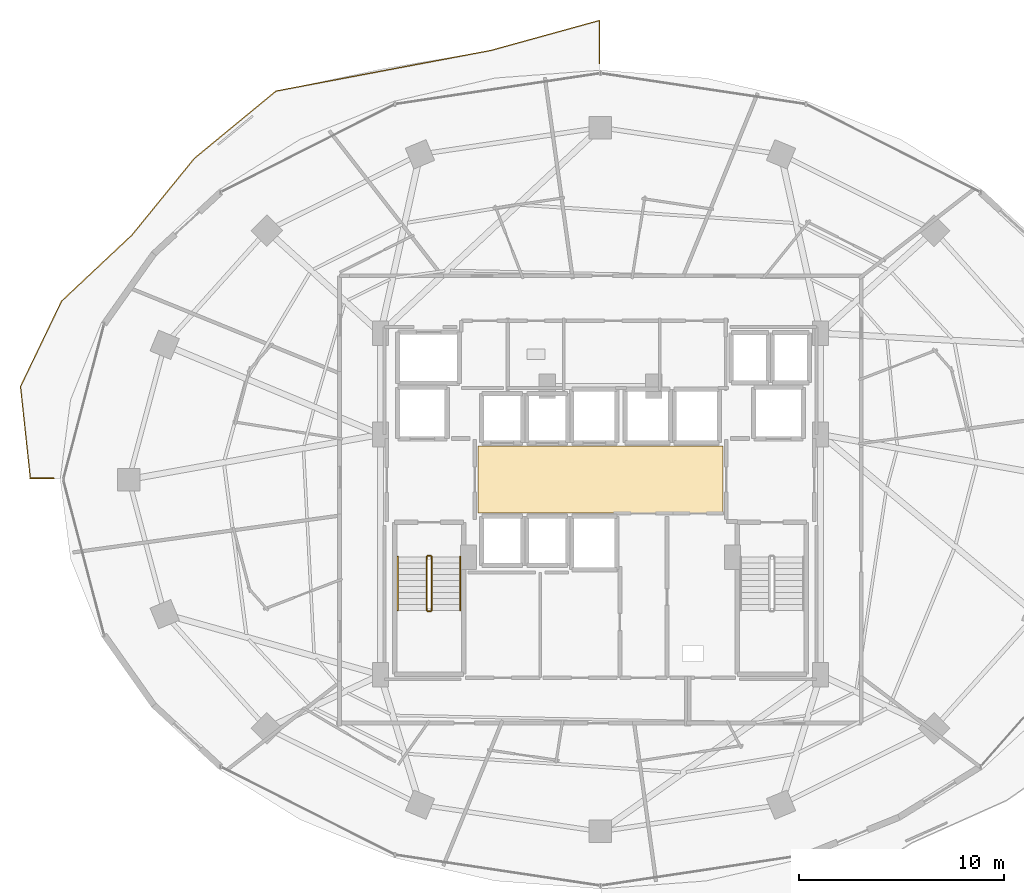
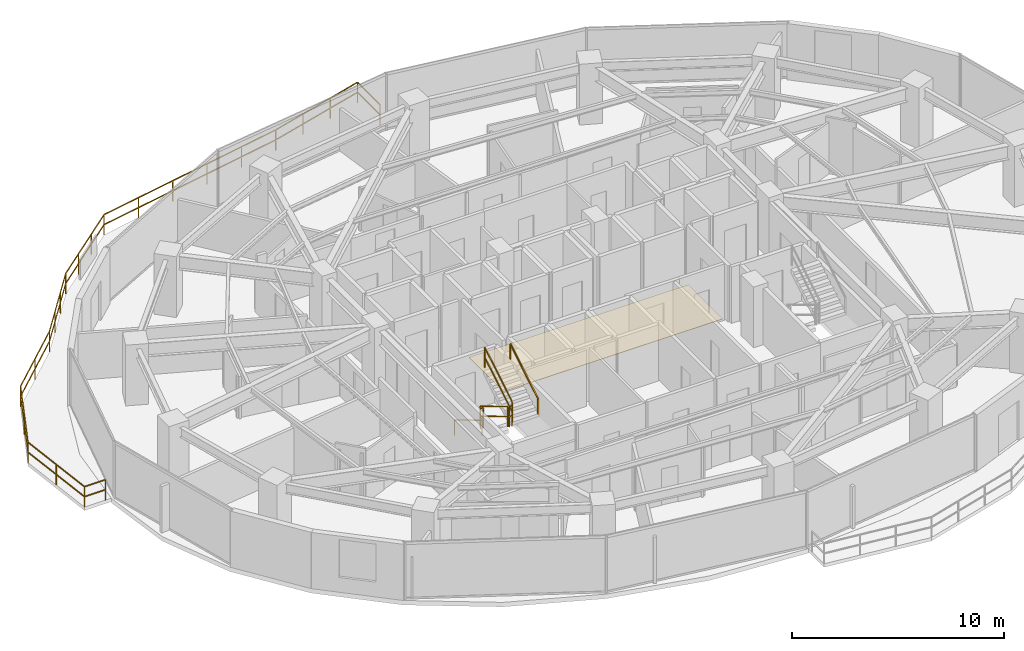
# One storey, part 27 of 30: 8 railings, 1 covering.
"""IFC4 building model written with IfcOpenShell, lengths in metres."""

import ifcopenshell
import ifcopenshell.guid

model = None  # the IFC model being written
_history = None  # IfcOwnerHistory: only IFC2X3 demands one
_inside = {}  # id of a spatial element -> (the spatial element, [elements in it])
_under = {}  # id of a project, library or spatial element -> (it, [spatial elements below it])
_declared = {}  # id of a project -> (the project, [libraries it declares])
_typed = {}  # id of a type object -> (the type object, [elements of that type])
_made_of = {}  # id of a material, layer set ... -> (it, [elements and type objects made of it])


def new_model(schema):
    """Start an empty IFC model of exactly this schema.

    Asked for "IFC4X3", IfcOpenShell would pick the latest addendum, in which some entities
    have other attributes; the version numbers below select the first issue.
    IFC2X3 requires an IfcOwnerHistory on every rooted entity: one is made here for all.
    """
    global model, _history
    if schema == "IFC4X3":
        model = ifcopenshell.file(schema_version=(4, 3, 0, 0))
    else:
        model = ifcopenshell.file(schema=schema)
    _inside.clear()
    _under.clear()
    _declared.clear()
    _typed.clear()
    _made_of.clear()
    _history = None
    if model.schema == "IFC2X3":
        org = make("IfcOrganization", Name="unknown")
        user = make(
            "IfcPersonAndOrganization",
            ThePerson=make("IfcPerson", FamilyName="unknown"),
            TheOrganization=org,
        )
        app = make(
            "IfcApplication",
            ApplicationDeveloper=org,
            Version="unknown",
            ApplicationFullName="unknown",
            ApplicationIdentifier="unknown",
        )
        _history = make(
            "IfcOwnerHistory",
            OwningUser=user,
            OwningApplication=app,
            ChangeAction="ADDED",
            CreationDate=0,
        )
    return model


def make(cls, **values):
    """One entity of the class cls with the attributes given. An attribute that is None is left unset."""
    return model.create_entity(
        cls, **{name: value for name, value in values.items() if value is not None}
    )


def rooted(cls, **values):
    """An entity with a GlobalId (a new one), such as an element, a storey or a relation."""
    return make(cls, GlobalId=ifcopenshell.guid.new(), OwnerHistory=_history, **values)


def si_unit(unit_type, name, prefix=None):
    """IfcSIUnit, for example si_unit("LENGTHUNIT", "METRE", prefix="MILLI")."""
    return make("IfcSIUnit", UnitType=unit_type, Prefix=prefix, Name=name)


def assignment(units):
    """IfcUnitAssignment: the units of a project."""
    return None if units is None else make("IfcUnitAssignment", Units=units)


def point(xyz):
    """IfcCartesianPoint."""
    return None if xyz is None else make("IfcCartesianPoint", Coordinates=xyz)


def direction(xyz):
    """IfcDirection."""
    return None if xyz is None else make("IfcDirection", DirectionRatios=xyz)


def frame(location, z_axis=None, x_axis=None):
    """IfcAxis2Placement3D, a coordinate frame: its origin and axes. An axis left out is left unset."""
    return make(
        "IfcAxis2Placement3D",
        Location=point(location),
        Axis=direction(z_axis),
        RefDirection=direction(x_axis),
    )


def frame_2d(location, x_axis=None):
    """IfcAxis2Placement2D, a coordinate frame in the plane: its origin and x axis."""
    return make(
        "IfcAxis2Placement2D", Location=point(location), RefDirection=direction(x_axis)
    )


def origin():
    """The frame at (0, 0, 0) with its axes left unset."""
    return frame((0.0, 0.0, 0.0))


def origin_2d():
    """The frame at (0, 0) in the plane with its x axis left unset."""
    return frame_2d((0.0, 0.0))


def place(relative_to, where):
    """IfcLocalPlacement: puts the frame where relative to a parent placement (None: the world)."""
    return make(
        "IfcLocalPlacement", PlacementRelTo=relative_to, RelativePlacement=where
    )


def context(
    kind, dimensions, precision=None, world=None, true_north=None, identifier=None
):
    """IfcGeometricRepresentationContext, for example the 3D "Model" context."""
    return make(
        "IfcGeometricRepresentationContext",
        ContextIdentifier=identifier,
        ContextType=kind,
        CoordinateSpaceDimension=dimensions,
        Precision=precision,
        WorldCoordinateSystem=world,
        TrueNorth=true_north,
    )


def subcontext(parent, identifier, kind, view, scale=None):
    """IfcGeometricRepresentationSubContext, for example "Body" below "Model"."""
    return make(
        "IfcGeometricRepresentationSubContext",
        ContextIdentifier=identifier,
        ContextType=kind,
        ParentContext=parent,
        TargetScale=scale,
        TargetView=view,
    )


def project(units=None, contexts=None):
    """IfcProject with its units and contexts."""
    return rooted(
        "IfcProject",
        Name="project",
        RepresentationContexts=contexts,
        UnitsInContext=assignment(units),
    )


def spatial(cls, under=None, at=None, **own):
    """A site, building, storey or space (cls), placed at a placement, below another one or the project."""
    s = rooted(cls, ObjectPlacement=at, **own)
    if under is not None:
        _under.setdefault(under.id(), (under, []))[1].append(s)
    return s


def polyline(points):
    """IfcPolyline through the points."""
    return make("IfcPolyline", Points=[point(p) for p in points])


def profile(cls, at=None, kind="AREA", **sizes):
    """A parametric profile (cls). Its sizes go by their IFC names, for example OverallWidth=200.0."""
    return make(cls, ProfileType=kind, Position=at, **sizes)


def rectangle(**sizes):
    """IfcRectangleProfileDef."""
    return profile("IfcRectangleProfileDef", **sizes)


def outline(outer, holes=None, kind="AREA"):
    """IfcArbitraryClosedProfileDef: a profile drawn as a closed curve; with holes, ...WithVoids."""
    if holes is None:
        return make("IfcArbitraryClosedProfileDef", ProfileType=kind, OuterCurve=outer)
    return make(
        "IfcArbitraryProfileDefWithVoids",
        ProfileType=kind,
        OuterCurve=outer,
        InnerCurves=holes,
    )


def extrude(swept, where, along, depth):
    """IfcExtrudedAreaSolid: the profile swept, set in the frame where, extruded along a direction by depth."""
    return make(
        "IfcExtrudedAreaSolid",
        SweptArea=swept,
        Position=where,
        ExtrudedDirection=direction(along),
        Depth=depth,
    )


def shape(context_of_items, identifier, shape_type, items):
    """IfcShapeRepresentation: the items that make up one representation, for example the "Body"."""
    return make(
        "IfcShapeRepresentation",
        ContextOfItems=context_of_items,
        RepresentationIdentifier=identifier,
        RepresentationType=shape_type,
        Items=items,
    )


def material(Name=None, Category=None):
    """IfcMaterial."""
    return make("IfcMaterial", Name=Name, Category=Category)


def layer(
    of_material, thickness, ventilated=None, Name=None, Category=None, Priority=None
):
    """IfcMaterialLayer: one layer of a wall or slab, of a material (None: an air gap)."""
    return make(
        "IfcMaterialLayer",
        Material=of_material,
        LayerThickness=thickness,
        IsVentilated=ventilated,
        Name=Name,
        Category=Category,
        Priority=Priority,
    )


def layer_set(layers, Name=None):
    """IfcMaterialLayerSet."""
    return make("IfcMaterialLayerSet", MaterialLayers=layers, LayerSetName=Name)


def made_of(thing, what):
    """Note that an element or type object is made of a material, layer set ...; save() writes the relation."""
    if what is not None:
        _made_of.setdefault(what.id(), (what, []))[1].append(thing)
    return thing


def type_object(cls, material=None, **own):
    """A type object (cls), such as IfcWallType, which elements share."""
    return made_of(rooted(cls, **own), material)


def element(
    cls,
    number,
    at=None,
    inside=None,
    cuts=None,
    type_object=None,
    material=None,
    context=None,
    identifier="Body",
    shape_type=None,
    held_by="IfcProductDefinitionShape",
    body=None,
    shapes=None,
    **own,
):
    """One element of the class cls, such as IfcWall. Its Tag is "e" and its number.

    at: its placement. inside: the storey or other place that contains it. cuts: it is an
    opening in that element (IfcRelVoidsElement). A single representation is given by context,
    identifier, shape_type and body (its items); several are given by shapes. held_by: the class
    of the entity that holds the representations. save() writes the other relations.
    """
    e = rooted(cls, Tag="e%d" % number, ObjectPlacement=at, **own)
    if body is not None:
        shapes = [shape(context, identifier, shape_type, body)]
    if shapes is not None:
        e.Representation = make(held_by, Representations=shapes)
    if inside is not None:
        _inside.setdefault(inside.id(), (inside, []))[1].append(e)
    if cuts is not None:
        rooted(
            "IfcRelVoidsElement", RelatingBuildingElement=cuts, RelatedOpeningElement=e
        )
    if type_object is not None:
        _typed.setdefault(type_object.id(), (type_object, []))[1].append(e)
    return made_of(e, material)


def aggregate(whole, parts):
    """IfcRelAggregates: a whole, such as a stair, and the parts it consists of."""
    return rooted("IfcRelAggregates", RelatingObject=whole, RelatedObjects=parts)


def save(model, path):
    """Write the relations noted so far, then the file.

    IfcRelAggregates (storeys below a building ...), IfcRelContainedInSpatialStructure (elements
    in a storey), IfcRelDefinesByType, IfcRelAssociatesMaterial and IfcRelDeclares: one each for
    every whole, place, type object, material and project.
    """
    for whole, parts in _under.values():
        aggregate(whole, parts)
    for where, things in _inside.values():
        rooted(
            "IfcRelContainedInSpatialStructure",
            RelatedElements=things,
            RelatingStructure=where,
        )
    for kind, things in _typed.values():
        rooted("IfcRelDefinesByType", RelatedObjects=things, RelatingType=kind)
    for what, things in _made_of.values():
        rooted("IfcRelAssociatesMaterial", RelatedObjects=things, RelatingMaterial=what)
    for by, libraries in _declared.values():
        rooted("IfcRelDeclares", RelatingContext=by, RelatedDefinitions=libraries)
    model.write(path)


model = new_model("IFC4")

# Units and contexts
model_context = context("Model", 3, precision=1e-05, world=origin(), true_north=direction((0.0, 1.0)))
body_context = subcontext(model_context, "Body", "Model", "MODEL_VIEW")
ifc_project = project(units=[si_unit("LENGTHUNIT", "METRE"), si_unit("AREAUNIT", "SQUARE_METRE"), si_unit("VOLUMEUNIT", "CUBIC_METRE"), si_unit("PLANEANGLEUNIT", "RADIAN"), si_unit("MASSUNIT", "GRAM", prefix="KILO")], contexts=[model_context])

# Site, building, storey
site_placement = place(None, origin())
site = spatial("IfcSite", under=ifc_project, at=site_placement, CompositionType="ELEMENT")
building_placement = place(site_placement, origin())
building = spatial("IfcBuilding", under=site, at=building_placement, Name="Vorneva Point Tower", CompositionType="ELEMENT")
storey_placement = place(building_placement, frame((0.0, 0.0, 89.300048828125)))
storey = spatial("IfcBuildingStorey", under=building, at=storey_placement, Name="L23", CompositionType="ELEMENT", Elevation=89.300048828125)

# Covering
ifc_material_1 = material(Name="Acoustic wool hospitality carpet", Category="textile")
ifc_layer = layer(ifc_material_1, 0.01806640625)
ifc_layer_set = layer_set([ifc_layer], Name="Acoustic wool hospitality carpet")
covering_type = type_object("IfcCoveringType", Name="COV-FLR-CRP", PredefinedType="FLOORING", material=ifc_layer_set)
covering_placement = place(storey_placement, frame((0.0, 0.0, -0.005126953125)))
element("IfcCovering", 1, at=covering_placement, inside=storey, type_object=covering_type, Name="L23 Lift Lobby Floor Finish", PredefinedType="FLOORING", context=body_context, shape_type="SweptSolid", body=[
    extrude(outline(polyline([(32.02001953125, 24.3701171875), (43.97998046875, 24.3701171875), (43.97998046875, 27.6298828125), (32.02001953125, 27.6298828125), (32.02001953125, 24.3701171875)])), origin(), (0.0, 0.0, 1.0), 0.023193359375),
])

# Railings
ifc_material_2 = material(Name="Pale anodised aluminium", Category="aluminium")
railing_type_1 = type_object("IfcRailingType", Name="RL-BAL-1200", PredefinedType="BALUSTRADE", material=ifc_material_2)
railing_1_placement = place(storey_placement, frame((10.1396484375, 26.050048828125, 0.0)))
element("IfcRailing", 2, at=railing_1_placement, inside=storey, type_object=railing_type_1, Name="L23 Wave Balcony Balustrade NW.1", PredefinedType="BALUSTRADE", context=body_context, shape_type="SweptSolid", body=[
    extrude(rectangle(XDim=0.048095703125, YDim=0.048095703125, at=origin_2d()), frame((0.0, 0.0, 1.17578125), z_axis=(1.0, 0.0, 0.0), x_axis=(0.0, 1.0, 0.0)), (0.0, 0.0, 1.0), 1.14404296875),
    extrude(rectangle(XDim=0.048095703125, YDim=0.048095703125, at=origin_2d()), frame((0.0, 0.0, 0.60009765625), z_axis=(1.0, 0.0, 0.0), x_axis=(0.0, 1.0, 0.0)), (0.0, 0.0, 1.0), 1.14404296875),
    extrude(rectangle(XDim=0.0419921875, YDim=0.0419921875, at=origin_2d()), origin(), (0.0, 0.0, 1.0), 1.15185546875),
    extrude(rectangle(XDim=0.0419921875, YDim=0.0419921875, at=origin_2d()), frame((1.14404296875, 0.0, 0.0)), (0.0, 0.0, 1.0), 1.15185546875),
])
railing_2_placement = place(storey_placement, frame((37.949951171875, 46.317138671875, 0.0)))
element("IfcRailing", 3, at=railing_2_placement, inside=storey, type_object=railing_type_1, Name="L23 Wave Balcony Balustrade NW.2", PredefinedType="BALUSTRADE", context=body_context, shape_type="SweptSolid", body=[
    extrude(rectangle(XDim=0.048095703125, YDim=0.048095703125, at=origin_2d()), frame((0.0, 0.0, 1.17578125), z_axis=(0.0, 1.0, 0.0), x_axis=(-1.0, 0.0, 0.0)), (0.0, 0.0, 1.0), 2.114013671875),
    extrude(rectangle(XDim=0.048095703125, YDim=0.048095703125, at=origin_2d()), frame((0.0, 0.0, 0.60009765625), z_axis=(0.0, 1.0, 0.0), x_axis=(-1.0, 0.0, 0.0)), (0.0, 0.0, 1.0), 2.114013671875),
    extrude(rectangle(XDim=0.048095703125, YDim=0.048095703125, at=origin_2d()), frame((0.0, 2.114013671875, 1.17578125), z_axis=(-0.964019677503, -0.265830888701, 0.0), x_axis=(0.265830888701, -0.964019677503, 0.0)), (0.0, 0.0, 1.0), 5.502197265625),
    extrude(rectangle(XDim=0.048095703125, YDim=0.048095703125, at=origin_2d()), frame((0.0, 2.114013671875, 0.60009765625), z_axis=(-0.964019677503, -0.265830888701, 0.0), x_axis=(0.265830888701, -0.964019677503, 0.0)), (0.0, 0.0, 1.0), 5.502197265625),
    extrude(rectangle(XDim=0.048095703125, YDim=0.048095703125, at=origin_2d()), frame((-5.30419921875, 0.6513671875, 1.17578125), z_axis=(-0.982576445985, -0.185858892161, 0.0), x_axis=(0.185858892161, -0.982576445985, 0.0)), (0.0, 0.0, 1.0), 10.68994140625),
    extrude(rectangle(XDim=0.048095703125, YDim=0.048095703125, at=origin_2d()), frame((-5.30419921875, 0.6513671875, 0.60009765625), z_axis=(-0.982576445985, -0.185858892161, 0.0), x_axis=(0.185858892161, -0.982576445985, 0.0)), (0.0, 0.0, 1.0), 10.68994140625),
    extrude(rectangle(XDim=0.048095703125, YDim=0.048095703125, at=origin_2d()), frame((-15.807861328125, -1.33544921875, 1.17578125), z_axis=(-0.771788350343, -0.635879502952, 0.0), x_axis=(0.635879502952, -0.771788350343, 0.0)), (0.0, 0.0, 1.0), 5.166259765625),
    extrude(rectangle(XDim=0.048095703125, YDim=0.048095703125, at=origin_2d()), frame((-15.807861328125, -1.33544921875, 0.60009765625), z_axis=(-0.771788350343, -0.635879502952, 0.0), x_axis=(0.635879502952, -0.771788350343, 0.0)), (0.0, 0.0, 1.0), 5.166259765625),
    extrude(rectangle(XDim=0.048095703125, YDim=0.048095703125, at=origin_2d()), frame((-19.795166015625, -4.62060546875, 1.17578125), z_axis=(-0.631402054213, -0.775455637633, 0.0), x_axis=(0.775455637633, -0.631402054213, 0.0)), (0.0, 0.0, 1.0), 4.835205078125),
    extrude(rectangle(XDim=0.048095703125, YDim=0.048095703125, at=origin_2d()), frame((-19.795166015625, -4.62060546875, 0.60009765625), z_axis=(-0.631402054213, -0.775455637633, 0.0), x_axis=(0.775455637633, -0.631402054213, 0.0)), (0.0, 0.0, 1.0), 4.835205078125),
    extrude(rectangle(XDim=0.048095703125, YDim=0.048095703125, at=origin_2d()), frame((-22.84814453125, -8.3701171875, 1.17578125), z_axis=(-0.728912249194, -0.68460713769, 0.0), x_axis=(0.68460713769, -0.728912249194, 0.0)), (0.0, 0.0, 1.0), 4.717041015625),
    extrude(rectangle(XDim=0.048095703125, YDim=0.048095703125, at=origin_2d()), frame((-22.84814453125, -8.3701171875, 0.60009765625), z_axis=(-0.728912249194, -0.68460713769, 0.0), x_axis=(0.68460713769, -0.728912249194, 0.0)), (0.0, 0.0, 1.0), 4.717041015625),
    extrude(rectangle(XDim=0.048095703125, YDim=0.048095703125, at=origin_2d()), frame((-26.286376953125, -11.599365234375, 1.17578125), z_axis=(-0.433152750876, -0.901320528119, 0.0), x_axis=(0.901320528119, -0.433152750876, 0.0)), (0.0, 0.0, 1.0), 4.629638671875),
    extrude(rectangle(XDim=0.048095703125, YDim=0.048095703125, at=origin_2d()), frame((-26.286376953125, -11.599365234375, 0.60009765625), z_axis=(-0.433152750876, -0.901320528119, 0.0), x_axis=(0.901320528119, -0.433152750876, 0.0)), (0.0, 0.0, 1.0), 4.629638671875),
    extrude(rectangle(XDim=0.048095703125, YDim=0.048095703125, at=origin_2d()), frame((-28.291748046875, -15.772216796875, 1.17578125), z_axis=(0.106500706091, -0.994312626694, 0.0), x_axis=(0.994312626694, 0.106500706091, 0.0)), (0.0, 0.0, 1.0), 4.5205078125),
    extrude(rectangle(XDim=0.048095703125, YDim=0.048095703125, at=origin_2d()), frame((-28.291748046875, -15.772216796875, 0.60009765625), z_axis=(0.106500706091, -0.994312626694, 0.0), x_axis=(0.994312626694, 0.106500706091, 0.0)), (0.0, 0.0, 1.0), 4.5205078125),
    extrude(rectangle(XDim=0.0419921875, YDim=0.0419921875, at=origin_2d()), origin(), (0.0, 0.0, 1.0), 1.15185546875),
    extrude(rectangle(XDim=0.0419921875, YDim=0.0419921875, at=origin_2d()), frame((0.0, 2.114013671875, 0.0)), (0.0, 0.0, 1.0), 1.15185546875),
    extrude(rectangle(XDim=0.0419921875, YDim=0.0419921875, at=origin_2d()), frame((-1.76806640625, 1.62646484375, 0.0)), (0.0, 0.0, 1.0), 1.15185546875),
    extrude(rectangle(XDim=0.0419921875, YDim=0.0419921875, at=origin_2d()), frame((-3.5361328125, 1.138916015625, 0.0)), (0.0, 0.0, 1.0), 1.15185546875),
    extrude(rectangle(XDim=0.0419921875, YDim=0.0419921875, at=origin_2d()), frame((-5.30419921875, 0.6513671875, 0.0)), (0.0, 0.0, 1.0), 1.15185546875),
    extrude(rectangle(XDim=0.0419921875, YDim=0.0419921875, at=origin_2d()), frame((-7.405029296875, 0.25390625, 0.0)), (0.0, 0.0, 1.0), 1.15185546875),
    extrude(rectangle(XDim=0.0419921875, YDim=0.0419921875, at=origin_2d()), frame((-9.505615234375, -0.143310546875, 0.0)), (0.0, 0.0, 1.0), 1.15185546875),
    extrude(rectangle(XDim=0.0419921875, YDim=0.0419921875, at=origin_2d()), frame((-11.6064453125, -0.540771484375, 0.0)), (0.0, 0.0, 1.0), 1.15185546875),
    extrude(rectangle(XDim=0.0419921875, YDim=0.0419921875, at=origin_2d()), frame((-13.70703125, -0.93798828125, 0.0)), (0.0, 0.0, 1.0), 1.15185546875),
    extrude(rectangle(XDim=0.0419921875, YDim=0.0419921875, at=origin_2d()), frame((-15.807861328125, -1.33544921875, 0.0)), (0.0, 0.0, 1.0), 1.15185546875),
    extrude(rectangle(XDim=0.0419921875, YDim=0.0419921875, at=origin_2d()), frame((-17.136962890625, -2.430419921875, 0.0)), (0.0, 0.0, 1.0), 1.15185546875),
    extrude(rectangle(XDim=0.0419921875, YDim=0.0419921875, at=origin_2d()), frame((-18.466064453125, -3.525634765625, 0.0)), (0.0, 0.0, 1.0), 1.15185546875),
    extrude(rectangle(XDim=0.0419921875, YDim=0.0419921875, at=origin_2d()), frame((-19.795166015625, -4.62060546875, 0.0)), (0.0, 0.0, 1.0), 1.15185546875),
    extrude(rectangle(XDim=0.0419921875, YDim=0.0419921875, at=origin_2d()), frame((-20.812744140625, -5.870361328125, 0.0)), (0.0, 0.0, 1.0), 1.15185546875),
    extrude(rectangle(XDim=0.0419921875, YDim=0.0419921875, at=origin_2d()), frame((-21.83056640625, -7.120361328125, 0.0)), (0.0, 0.0, 1.0), 1.15185546875),
    extrude(rectangle(XDim=0.0419921875, YDim=0.0419921875, at=origin_2d()), frame((-22.84814453125, -8.3701171875, 0.0)), (0.0, 0.0, 1.0), 1.15185546875),
    extrude(rectangle(XDim=0.0419921875, YDim=0.0419921875, at=origin_2d()), frame((-24.5673828125, -9.98486328125, 0.0)), (0.0, 0.0, 1.0), 1.15185546875),
    extrude(rectangle(XDim=0.0419921875, YDim=0.0419921875, at=origin_2d()), frame((-26.286376953125, -11.599365234375, 0.0)), (0.0, 0.0, 1.0), 1.15185546875),
    extrude(rectangle(XDim=0.0419921875, YDim=0.0419921875, at=origin_2d()), frame((-27.2890625, -13.685791015625, 0.0)), (0.0, 0.0, 1.0), 1.15185546875),
    extrude(rectangle(XDim=0.0419921875, YDim=0.0419921875, at=origin_2d()), frame((-28.291748046875, -15.772216796875, 0.0)), (0.0, 0.0, 1.0), 1.15185546875),
    extrude(rectangle(XDim=0.0419921875, YDim=0.0419921875, at=origin_2d()), frame((-28.051025390625, -18.01953125, 0.0)), (0.0, 0.0, 1.0), 1.15185546875),
    extrude(rectangle(XDim=0.0419921875, YDim=0.0419921875, at=origin_2d()), frame((-27.810302734375, -20.26708984375, 0.0)), (0.0, 0.0, 1.0), 1.15185546875),
])
ifc_material_3 = material(Name="Brushed stainless steel S304", Category="steel")
railing_type_2 = type_object("IfcRailingType", Name="RL-HND-920", PredefinedType="HANDRAIL", material=ifc_material_3)
railing_3_placement = place(storey_placement, frame((28.10009765625, 22.219970703125, 0.175048828125)))
element("IfcRailing", 4, at=railing_3_placement, inside=storey, type_object=railing_type_2, Name="L23 ST1 stair handrail 1", PredefinedType="HANDRAIL", context=body_context, shape_type="SweptSolid", body=[
    extrude(rectangle(XDim=0.048095703125, YDim=0.048095703125, at=origin_2d()), frame((0.0, 0.0, 0.8759765625), z_axis=(0.0, -0.85618277418, 0.516673066065), x_axis=(1.0, 0.0, 0.0)), (0.0, 0.0, 1.0), 3.04833984375),
    extrude(rectangle(XDim=0.0419921875, YDim=0.0419921875, at=origin_2d()), origin(), (0.0, 0.0, 1.0), 0.851806640625),
    extrude(rectangle(XDim=0.0419921875, YDim=0.0419921875, at=origin_2d()), frame((0.0, -2.60986328125, 1.574951171875)), (0.0, 0.0, 1.0), 0.851806640625),
])
railing_4_placement = place(storey_placement, frame((31.14990234375, 19.610107421875, 1.925048828125)))
element("IfcRailing", 5, at=railing_4_placement, inside=storey, type_object=railing_type_2, Name="L23 ST1 stair handrail 2", PredefinedType="HANDRAIL", context=body_context, shape_type="SweptSolid", body=[
    extrude(rectangle(XDim=0.048095703125, YDim=0.048095703125, at=origin_2d()), frame((0.0, 0.0, 0.8759765625), z_axis=(0.0, 0.85618277418, 0.516673066065), x_axis=(-1.0, 0.0, 0.0)), (0.0, 0.0, 1.0), 3.04833984375),
    extrude(rectangle(XDim=0.0419921875, YDim=0.0419921875, at=origin_2d()), origin(), (0.0, 0.0, 1.0), 0.851806640625),
    extrude(rectangle(XDim=0.0419921875, YDim=0.0419921875, at=origin_2d()), frame((0.0, 2.60986328125, 1.574951171875)), (0.0, 0.0, 1.0), 0.851806640625),
])
railing_type_3 = type_object("IfcRailingType", Name="RL-STG-1100", PredefinedType="GUARDRAIL", material=ifc_material_3)
railing_5_placement = place(storey_placement, frame((29.5, 22.219970703125, 0.175048828125)))
element("IfcRailing", 6, at=railing_5_placement, inside=storey, type_object=railing_type_3, Name="L23 ST1 stair guard 1", PredefinedType="GUARDRAIL", context=body_context, shape_type="SweptSolid", body=[
    extrude(rectangle(XDim=0.048095703125, YDim=0.048095703125, at=origin_2d()), frame((0.0, 0.0, 1.17578125), z_axis=(0.0, -0.85618277418, 0.516673066065), x_axis=(1.0, 0.0, 0.0)), (0.0, 0.0, 1.0), 3.04833984375),
    extrude(rectangle(XDim=0.048095703125, YDim=0.048095703125, at=origin_2d()), frame((0.0, 0.0, 0.60009765625), z_axis=(0.0, -0.85618277418, 0.516673066065), x_axis=(1.0, 0.0, 0.0)), (0.0, 0.0, 1.0), 3.04833984375),
    extrude(rectangle(XDim=0.0419921875, YDim=0.0419921875, at=origin_2d()), origin(), (0.0, 0.0, 1.0), 1.15185546875),
    extrude(rectangle(XDim=0.0419921875, YDim=0.0419921875, at=origin_2d()), frame((0.0, -2.60986328125, 1.574951171875)), (0.0, 0.0, 1.0), 1.15185546875),
])
railing_6_placement = place(storey_placement, frame((29.550048828125, 19.56005859375, 1.75)))
element("IfcRailing", 7, at=railing_6_placement, inside=storey, type_object=railing_type_3, Name="L23 ST1 stair guard 2", PredefinedType="GUARDRAIL", context=body_context, shape_type="SweptSolid", body=[
    extrude(rectangle(XDim=0.048095703125, YDim=0.048095703125, at=origin_2d()), frame((0.0, 0.0, 1.17578125), z_axis=(1.0, 0.0, 0.0), x_axis=(0.0, 1.0, 0.0)), (0.0, 0.0, 1.0), 0.14990234375),
    extrude(rectangle(XDim=0.048095703125, YDim=0.048095703125, at=origin_2d()), frame((0.0, 0.0, 0.60009765625), z_axis=(1.0, 0.0, 0.0), x_axis=(0.0, 1.0, 0.0)), (0.0, 0.0, 1.0), 0.14990234375),
    extrude(rectangle(XDim=0.0419921875, YDim=0.0419921875, at=origin_2d()), origin(), (0.0, 0.0, 1.0), 1.15185546875),
    extrude(rectangle(XDim=0.0419921875, YDim=0.0419921875, at=origin_2d()), frame((0.14990234375, 0.0, 0.0)), (0.0, 0.0, 1.0), 1.15185546875),
])
railing_7_placement = place(storey_placement, frame((29.75, 19.610107421875, 1.925048828125)))
element("IfcRailing", 8, at=railing_7_placement, inside=storey, type_object=railing_type_3, Name="L23 ST1 stair guard 3", PredefinedType="GUARDRAIL", context=body_context, shape_type="SweptSolid", body=[
    extrude(rectangle(XDim=0.048095703125, YDim=0.048095703125, at=origin_2d()), frame((0.0, 0.0, 1.17578125), z_axis=(0.0, 0.85618277418, 0.516673066065), x_axis=(-1.0, 0.0, 0.0)), (0.0, 0.0, 1.0), 3.04833984375),
    extrude(rectangle(XDim=0.048095703125, YDim=0.048095703125, at=origin_2d()), frame((0.0, 0.0, 0.60009765625), z_axis=(0.0, 0.85618277418, 0.516673066065), x_axis=(-1.0, 0.0, 0.0)), (0.0, 0.0, 1.0), 3.04833984375),
    extrude(rectangle(XDim=0.0419921875, YDim=0.0419921875, at=origin_2d()), origin(), (0.0, 0.0, 1.0), 1.15185546875),
    extrude(rectangle(XDim=0.0419921875, YDim=0.0419921875, at=origin_2d()), frame((0.0, 2.60986328125, 1.574951171875)), (0.0, 0.0, 1.0), 1.15185546875),
])
railing_8_placement = place(storey_placement, frame((29.550048828125, 22.27001953125, 0.0)))
element("IfcRailing", 9, at=railing_8_placement, inside=storey, type_object=railing_type_3, Name="L23 ST1 stair guard 4", PredefinedType="GUARDRAIL", context=body_context, shape_type="SweptSolid", body=[
    extrude(rectangle(XDim=0.048095703125, YDim=0.048095703125, at=origin_2d()), frame((0.0, 0.0, 1.17578125), z_axis=(1.0, 0.0, 0.0), x_axis=(0.0, 1.0, 0.0)), (0.0, 0.0, 1.0), 0.14990234375),
    extrude(rectangle(XDim=0.048095703125, YDim=0.048095703125, at=origin_2d()), frame((0.0, 0.0, 0.60009765625), z_axis=(1.0, 0.0, 0.0), x_axis=(0.0, 1.0, 0.0)), (0.0, 0.0, 1.0), 0.14990234375),
    extrude(rectangle(XDim=0.0419921875, YDim=0.0419921875, at=origin_2d()), origin(), (0.0, 0.0, 1.0), 1.15185546875),
    extrude(rectangle(XDim=0.0419921875, YDim=0.0419921875, at=origin_2d()), frame((0.14990234375, 0.0, 0.0)), (0.0, 0.0, 1.0), 1.15185546875),
])

save(model, "model.ifc")
